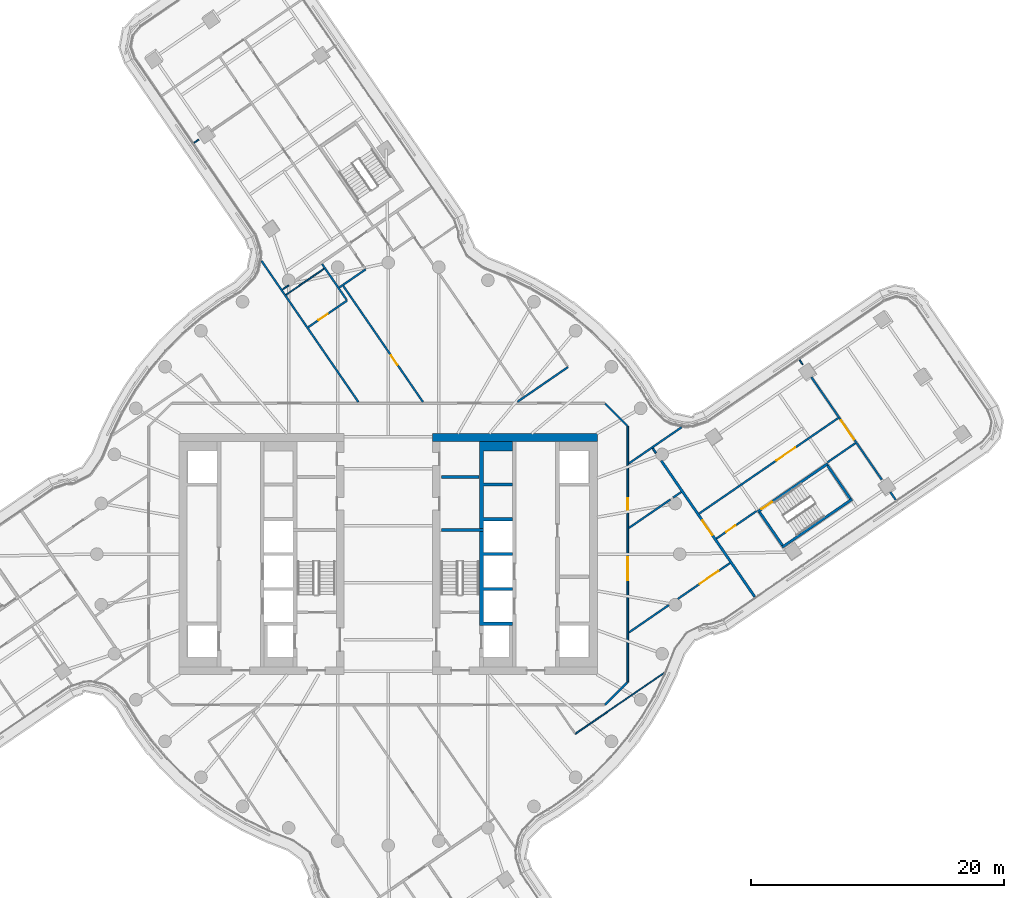
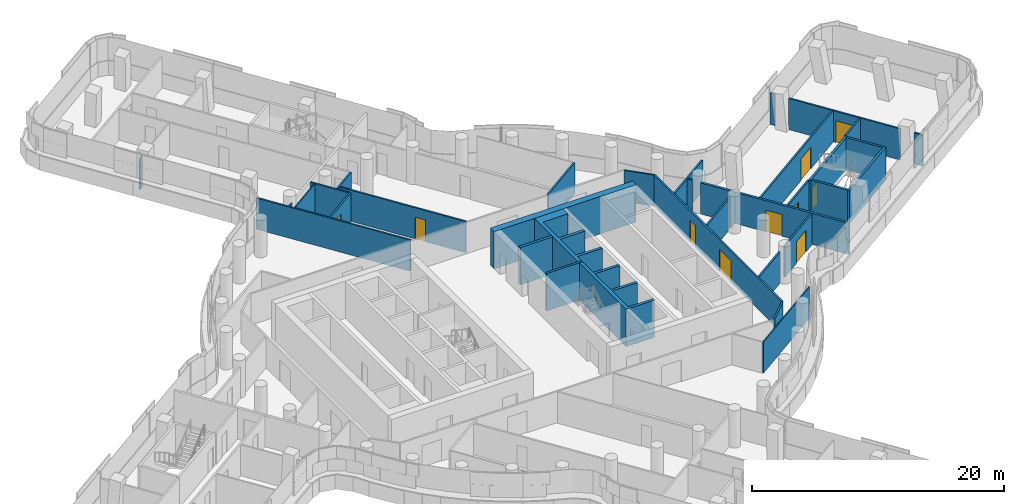
# One storey, part 24 of 33: 34 walls, 10 doors, 10 openings.
"""IFC4 building model written with IfcOpenShell, lengths in metres."""

from ifc_helpers import new_model, si_unit, direction, frame, frame_2d, origin, place, context, subcontext, project, spatial, polyline, rectangle, outline, extrude, material, layer, layer_set, type_object, element, fill, save


model = new_model("IFC4")

# Units and contexts
model_context = context("Model", 3, precision=1e-05, world=origin(), true_north=direction((0.0, 1.0)))
body_context = subcontext(model_context, "Body", "Model", "MODEL_VIEW")
ifc_project = project(units=[si_unit("LENGTHUNIT", "METRE"), si_unit("AREAUNIT", "SQUARE_METRE"), si_unit("VOLUMEUNIT", "CUBIC_METRE"), si_unit("PLANEANGLEUNIT", "RADIAN"), si_unit("MASSUNIT", "GRAM", prefix="KILO")], contexts=[model_context])

# Site, building, storey
site_placement = place(None, origin())
site = spatial("IfcSite", under=ifc_project, at=site_placement, CompositionType="ELEMENT")
building_placement = place(site_placement, origin())
building = spatial("IfcBuilding", under=site, at=building_placement, Name="Tamarind Cross Interchange Tower", CompositionType="ELEMENT")
storey_placement = place(building_placement, frame((0.0, 0.0, 159.25)))
storey = spatial("IfcBuildingStorey", under=building, at=storey_placement, Name="L39", CompositionType="ELEMENT", Elevation=159.25)

# Walls
ifc_material_1 = material(Name="Concrete C60", Category="concrete")
ifc_layer_1 = layer(ifc_material_1, 0.60009765625)
ifc_layer_set_1 = layer_set([ifc_layer_1], Name="Concrete C60")
wall_type_1 = type_object("IfcWallType", Name="Core wall 600 mm Concrete C60", PredefinedType="SHEAR", material=ifc_layer_set_1)
wall_1_placement = place(storey_placement, frame((16.5, 9.199951171875, 0.0), z_axis=(0.0, 0.0, 1.0), x_axis=(-1.0, 0.0, 0.0)))
element("IfcWall", 1, at=wall_1_placement, inside=storey, type_object=wall_type_1, Name="Core wall CWL-L39-E-NE", PredefinedType="SHEAR", context=body_context, shape_type="SweptSolid", body=[
    extrude(rectangle(XDim=13.0, YDim=0.60009765625, at=frame_2d((6.5, 0.0))), origin(), (0.0, 0.0, 1.0), 3.610107421875),
])
ifc_layer_2 = layer(ifc_material_1, 0.199951171875)
ifc_layer_set_2 = layer_set([ifc_layer_2], Name="Concrete C60")
wall_type_2 = type_object("IfcWallType", Name="Core web wall 200 mm Concrete C60", PredefinedType="SHEAR", material=ifc_layer_set_2)
wall_2_placement = place(storey_placement, frame((7.5, 1.89990234375, 0.0), z_axis=(0.0, 0.0, 1.0), x_axis=(-1.0, 0.0, 0.0)))
element("IfcWall", 2, at=wall_2_placement, inside=storey, type_object=wall_type_2, Name="Core wall CWL-L39-E-BD", PredefinedType="SHEAR", context=body_context, shape_type="SweptSolid", body=[
    extrude(rectangle(XDim=3.300048828125, YDim=0.199951171875, at=frame_2d((1.64990234375, 0.0))), origin(), (0.0, 0.0, 1.0), 3.610107421875),
])
ifc_layer_3 = layer(ifc_material_1, 0.300048828125)
ifc_layer_set_3 = layer_set([ifc_layer_3], Name="Concrete C60")
wall_type_3 = type_object("IfcWallType", Name="Core web wall 300 mm Concrete C60", PredefinedType="SHEAR", material=ifc_layer_set_3)
wall_3_placement = place(storey_placement, origin())
element("IfcWall", 3, at=wall_3_placement, inside=storey, type_object=wall_type_3, Name="Core wall CWL-L39-E-BN", PredefinedType="SHEAR", context=body_context, shape_type="SweptSolid", body=[
    extrude(outline(polyline([(9.800048828125, -5.375), (7.5, -5.375), (7.5, -2.875), (9.800048828125, -2.875), (9.800048828125, -2.625), (7.5, -2.625), (7.5, -0.125), (9.800048828125, -0.125), (9.800048828125, 0.125), (7.5, 0.125), (7.5, 2.625), (9.800048828125, 2.625), (9.800048828125, 2.875), (7.5, 2.875), (7.5, 5.375), (9.800048828125, 5.375), (9.800048828125, 5.625), (7.5, 5.625), (7.5, 8.125), (9.800048828125, 8.125), (9.800048828125, 8.89990234375), (7.5, 8.89990234375), (7.199951171875, 8.89990234375), (7.199951171875, -5.625), (7.5, -5.625), (9.800048828125, -5.625), (9.800048828125, -5.375)])), origin(), (0.0, 0.0, 1.0), 3.610107421875),
])
ifc_material_2 = material(Name="Gypsum board partition on steel studs", Category="steel")
ifc_layer_4 = layer(ifc_material_2, 0.10009765625)
ifc_layer_set_4 = layer_set([ifc_layer_4], Name="Gypsum board partition on steel studs")
wall_type_4 = type_object("IfcWallType", Name="Partition 100 mm EI 90", PredefinedType="PARTITIONING", material=ifc_layer_set_4)
for number, where, z_axis, x_axis, name in (
    (4, (32.45849609375, 15.330322265625, 0.0), (0.0, 0.0, 1.0), (0.566094002157, -0.824340694569, 0.0), "Partition L39-034"),
    (5, (-15.330322265625, 32.45849609375, 0.0), (0.0, 0.0, 1.0), (0.824340694569, 0.566094002157, 0.0), "Partition L39-051"),
):
    element("IfcWall", number, at=place(storey_placement, frame(where, z_axis=z_axis, x_axis=x_axis)), inside=storey, type_object=wall_type_4, Name=name, PredefinedType="PARTITIONING", context=body_context, shape_type="SweptSolid", body=[
        extrude(rectangle(XDim=0.452880859375, YDim=0.10009765625, at=frame_2d((0.2265625, 0.0))), origin(), (0.0, 0.0, 1.0), 3.010009765625),
    ])
wall_4_placement = place(storey_placement, frame((-8.0712890625, 20.46044921875, 0.0), z_axis=(0.0, 0.0, 1.0), x_axis=(0.824324831047, 0.566117101773, 0.0)))
element("IfcWall", 6, at=wall_4_placement, inside=storey, type_object=wall_type_4, Name="Partition L39-056", PredefinedType="PARTITIONING", context=body_context, shape_type="SweptSolid", body=[
    extrude(rectangle(XDim=3.649658203125, YDim=0.10009765625, at=frame_2d((1.82470703125, 0.0))), origin(), (0.0, 0.0, 1.0), 3.010009765625),
])
wall_5_placement = place(storey_placement, frame((-8.3544921875, 20.872802734375, 0.0), z_axis=(0.0, 0.0, 1.0), x_axis=(0.824315547904, 0.566130618748, 0.0)))
element("IfcWall", 7, at=wall_5_placement, inside=storey, type_object=wall_type_4, Name="Partition L39-059", PredefinedType="PARTITIONING", context=body_context, shape_type="SweptSolid", body=[
    extrude(rectangle(XDim=0.5986328125, YDim=0.10009765625, at=frame_2d((0.29931640625, 0.0))), origin(), (0.0, 0.0, 1.0), 3.010009765625),
])
wall_6_placement = place(storey_placement, frame((14.761962890625, -14.18994140625, 0.0), z_axis=(0.0, 0.0, 1.0), x_axis=(0.824347457756, 0.566084153542, 0.0)))
element("IfcWall", 8, at=wall_6_placement, inside=storey, type_object=wall_type_4, Name="Partition L39-068", PredefinedType="PARTITIONING", context=body_context, shape_type="SweptSolid", body=[
    extrude(rectangle(XDim=8.483154296875, YDim=0.10009765625, at=frame_2d((4.24169921875, 0.0))), origin(), (0.0, 0.0, 1.0), 3.010009765625),
])
ifc_layer_5 = layer(ifc_material_2, 0.14990234375)
ifc_layer_set_5 = layer_set([ifc_layer_5], Name="Gypsum board partition on steel studs")
wall_type_5 = type_object("IfcWallType", Name="Partition 150 mm EI 120", PredefinedType="PARTITIONING", material=ifc_layer_set_5)
wall_7_placement = place(storey_placement, frame((-10.01220703125, 23.15380859375, 0.0), z_axis=(0.0, 0.0, 1.0), x_axis=(0.566093064015, -0.824341338812, 0.0)))
element("IfcWall", 9, at=wall_7_placement, inside=storey, type_object=wall_type_5, Name="Partition L39-018", PredefinedType="PARTITIONING", context=body_context, shape_type="SweptSolid", body=[
    extrude(rectangle(XDim=13.531982421875, YDim=0.14990234375, at=frame_2d((6.76611328125, 0.0))), origin(), (0.0, 0.0, 1.0), 3.010009765625),
])
wall_8_placement = place(storey_placement, frame((-5.227294921875, 22.898681640625, 0.0), z_axis=(0.0, 0.0, 1.0), x_axis=(0.566114247823, -0.824326791031, 0.0)))
element("IfcWall", 10, at=wall_8_placement, inside=storey, type_object=wall_type_5, Name="Partition L39-019", PredefinedType="PARTITIONING", context=body_context, shape_type="SweptSolid", body=[
    extrude(rectangle(XDim=3.424560546875, YDim=0.14990234375, at=frame_2d((1.71240234375, 0.0))), origin(), (0.0, 0.0, 1.0), 3.010009765625),
])

# Wall, opening, door
wall_9_placement = place(storey_placement, frame((-3.5498046875, 21.1630859375, 0.0), z_axis=(0.0, 0.0, 1.0), x_axis=(0.566071104364, -0.824356418549, 0.0)))
wall_9 = element("IfcWall", 11, at=wall_9_placement, inside=storey, type_object=wall_type_5, Name="Partition L39-020", PredefinedType="PARTITIONING", context=body_context, shape_type="SweptSolid", body=[
    extrude(rectangle(XDim=11.116943359375, YDim=0.14990234375, at=frame_2d((5.55859375, 0.0))), origin(), (0.0, 0.0, 1.0), 3.010009765625),
])
opening_1_placement = place(wall_9_placement, frame((6.669921875, 0.0, 0.0)))
opening_1 = element("IfcOpeningElement", 12, at=opening_1_placement, cuts=wall_9, Name="Opening D09", PredefinedType="OPENING", context=body_context, shape_type="SweptSolid", body=[
    extrude(rectangle(XDim=0.89990234375, YDim=2.10009765625, at=frame_2d((0.449951171875, 1.050048828125))), frame((0.0, 0.0849609375, 0.0), z_axis=(0.0, -1.0, 0.0), x_axis=(1.0, 0.0, 0.0)), (0.0, 0.0, 1.0), 0.169921875),
])
ifc_material_3 = material(Name="Fire-resisting door set")
door_type_1 = type_object("IfcDoorType", Name="Interior door 900 x 2100 FD60S", OperationType="SINGLE_SWING_LEFT", PredefinedType="DOOR", material=ifc_material_3)
door_1_placement = place(opening_1_placement, frame((0.89990234375, 0.0, 0.0), z_axis=(0.0, 0.0, 1.0), x_axis=(-1.0, 0.0, 0.0)))
door_1 = element("IfcDoor", 13, at=door_1_placement, inside=storey, type_object=door_type_1, Name="Door D09", OperationType="SINGLE_SWING_RIGHT", OverallHeight=2.10009765625, OverallWidth=0.89990234375, PredefinedType="DOOR", context=body_context, shape_type="SweptSolid", body=[
    extrude(rectangle(XDim=0.89990234375, YDim=2.10009765625, at=frame_2d((0.449951171875, 1.050048828125))), frame((0.0, 0.02490234375, 0.0), z_axis=(0.0, -1.0, 0.0), x_axis=(1.0, 0.0, 0.0)), (0.0, 0.0, 1.0), 0.050048828125),
])
fill(opening_1, door_1)

# Wall
wall_10_placement = place(storey_placement, frame((20.875244140625, 8.35009765625, 0.0), z_axis=(0.0, 0.0, 1.0), x_axis=(0.56618647865, -0.824277181168, 0.0)))
element("IfcWall", 14, at=wall_10_placement, inside=storey, type_object=wall_type_5, Name="Partition L39-032", PredefinedType="PARTITIONING", context=body_context, shape_type="SweptSolid", body=[
    extrude(rectangle(XDim=0.4541015625, YDim=0.14990234375, at=frame_2d((0.22705078125, 0.0))), origin(), (0.0, 0.0, 1.0), 3.010009765625),
])

# Wall, opening, door
wall_11_placement = place(storey_placement, frame((33.392333984375, 13.970703125, 0.0), z_axis=(0.0, 0.0, 1.0), x_axis=(0.56618581745, -0.824277635338, 0.0)))
wall_11 = element("IfcWall", 15, at=wall_11_placement, inside=storey, type_object=wall_type_5, Name="Partition L39-035", PredefinedType="PARTITIONING", context=body_context, shape_type="SweptSolid", body=[
    extrude(rectangle(XDim=9.81884765625, YDim=0.14990234375, at=frame_2d((4.909423828125, 0.0))), origin(), (0.0, 0.0, 1.0), 3.010009765625),
])
opening_2_placement = place(wall_11_placement, frame((4.16748046875, 0.0, 0.0)))
opening_2 = element("IfcOpeningElement", 16, at=opening_2_placement, cuts=wall_11, Name="Opening D18", PredefinedType="OPENING", context=body_context, shape_type="SweptSolid", body=[
    extrude(rectangle(XDim=1.800048828125, YDim=2.10009765625, at=frame_2d((0.89990234375, 1.050048828125))), frame((0.0, 0.0849609375, 0.0), z_axis=(0.0, -1.0, 0.0), x_axis=(1.0, 0.0, 0.0)), (0.0, 0.0, 1.0), 0.169921875),
])
door_type_2 = type_object("IfcDoorType", Name="Interior door 1800 x 2100 FD60S", OperationType="DOUBLE_DOOR_SINGLE_SWING", PredefinedType="DOOR", material=ifc_material_3)
door_2_placement = place(opening_2_placement, frame((1.800048828125, 0.0, 0.0), z_axis=(0.0, 0.0, 1.0), x_axis=(-1.0, 0.0, 0.0)))
door_2 = element("IfcDoor", 17, at=door_2_placement, inside=storey, type_object=door_type_2, Name="Door D18", OperationType="DOUBLE_DOOR_SINGLE_SWING", OverallHeight=2.10009765625, OverallWidth=1.800048828125, PredefinedType="DOOR", context=body_context, shape_type="SweptSolid", body=[
    extrude(rectangle(XDim=1.800048828125, YDim=2.10009765625, at=frame_2d((0.89990234375, 1.050048828125))), frame((0.0, 0.02490234375, 0.0), z_axis=(0.0, -1.0, 0.0), x_axis=(1.0, 0.0, 0.0)), (0.0, 0.0, 1.0), 0.050048828125),
])
fill(opening_2, door_2)

# Walls
wall_12_placement = place(storey_placement, frame((39.63037109375, 4.889404296875, 0.0), z_axis=(0.0, 0.0, 1.0), x_axis=(0.566155275421, -0.824298613436, 0.0)))
element("IfcWall", 18, at=wall_12_placement, inside=storey, type_object=wall_type_5, Name="Partition L39-036", PredefinedType="PARTITIONING", context=body_context, shape_type="SweptSolid", body=[
    extrude(rectangle(XDim=0.7490234375, YDim=0.14990234375, at=frame_2d((0.37451171875, 0.0))), origin(), (0.0, 0.0, 1.0), 3.010009765625),
])
wall_13_placement = place(storey_placement, frame((17.12841796875, 11.87158203125, 0.0), z_axis=(0.0, 0.0, 1.0), x_axis=(0.707106781187, -0.707106781187, 0.0)))
element("IfcWall", 19, at=wall_13_placement, inside=storey, type_object=wall_type_5, Name="Partition L39-038", PredefinedType="PARTITIONING", context=body_context, shape_type="SweptSolid", body=[
    extrude(rectangle(XDim=2.465087890625, YDim=0.14990234375, at=frame_2d((1.232421875, 0.0))), origin(), (0.0, 0.0, 1.0), 3.010009765625),
])

# Wall, opening, door
wall_14_placement = place(storey_placement, frame((-6.31201171875, 17.908203125, 0.0), z_axis=(0.0, 0.0, 1.0), x_axis=(0.824306135323, 0.566144323711, 0.0)))
wall_14 = element("IfcWall", 20, at=wall_14_placement, inside=storey, type_object=wall_type_5, Name="Partition L39-057", PredefinedType="PARTITIONING", context=body_context, shape_type="SweptSolid", body=[
    extrude(rectangle(XDim=3.719482421875, YDim=0.14990234375, at=frame_2d((1.85986328125, 0.0))), origin(), (0.0, 0.0, 1.0), 3.010009765625),
])
opening_3_placement = place(wall_14_placement, frame((0.969970703125, 0.0, 0.0)))
opening_3 = element("IfcOpeningElement", 21, at=opening_3_placement, cuts=wall_14, Name="Opening D33", PredefinedType="OPENING", context=body_context, shape_type="SweptSolid", body=[
    extrude(rectangle(XDim=0.89990234375, YDim=2.10009765625, at=frame_2d((0.449951171875, 1.050048828125))), frame((0.0, 0.0849609375, 0.0), z_axis=(0.0, -1.0, 0.0), x_axis=(1.0, 0.0, 0.0)), (0.0, 0.0, 1.0), 0.169921875),
])
door_3_placement = place(opening_3_placement, origin())
door_3 = element("IfcDoor", 22, at=door_3_placement, inside=storey, type_object=door_type_1, Name="Door D33", OperationType="SINGLE_SWING_RIGHT", OverallHeight=2.10009765625, OverallWidth=0.89990234375, PredefinedType="DOOR", context=body_context, shape_type="SweptSolid", body=[
    extrude(rectangle(XDim=0.89990234375, YDim=2.10009765625, at=frame_2d((0.449951171875, 1.050048828125))), frame((0.0, 0.02490234375, 0.0), z_axis=(0.0, -1.0, 0.0), x_axis=(1.0, 0.0, 0.0)), (0.0, 0.0, 1.0), 0.050048828125),
])
fill(opening_3, door_3)

# Walls
wall_15_placement = place(storey_placement, frame((-3.85888671875, 21.048095703125, 0.0), z_axis=(0.0, 0.0, 1.0), x_axis=(0.825038611489, 0.565076357276, 0.0)))
element("IfcWall", 23, at=wall_15_placement, inside=storey, type_object=wall_type_5, Name="Partition L39-061", PredefinedType="PARTITIONING", context=body_context, shape_type="SweptSolid", body=[
    extrude(rectangle(XDim=2.519775390625, YDim=0.14990234375, at=frame_2d((1.259765625, 0.0))), origin(), (0.0, 0.0, 1.0), 3.010009765625),
])
wall_16_placement = place(storey_placement, frame((10.196044921875, 12.018798828125, 0.0), z_axis=(0.0, 0.0, 1.0), x_axis=(0.824296186605, 0.566158808771, 0.0)))
element("IfcWall", 24, at=wall_16_placement, inside=storey, type_object=wall_type_5, Name="Partition L39-067", PredefinedType="PARTITIONING", context=body_context, shape_type="SweptSolid", body=[
    extrude(rectangle(XDim=4.84521484375, YDim=0.14990234375, at=frame_2d((2.422607421875, 0.0))), origin(), (0.0, 0.0, 1.0), 3.010009765625),
])
wall_17_placement = place(storey_placement, frame((18.998779296875, -6.18505859375, 0.0), z_axis=(0.0, 0.0, 1.0), x_axis=(0.824392319221, 0.566018819484, 0.0)))
element("IfcWall", 25, at=wall_17_placement, inside=storey, type_object=wall_type_5, Name="Partition L39-069", PredefinedType="PARTITIONING", context=body_context, shape_type="SweptSolid", body=[
    extrude(rectangle(XDim=3.8203125, YDim=0.14990234375, at=frame_2d((1.91015625, 0.0))), origin(), (0.0, 0.0, 1.0), 3.010009765625),
])

# Wall, opening, door
wall_18_placement = place(storey_placement, frame((22.853515625, -3.538330078125, 0.0), z_axis=(0.0, 0.0, 1.0), x_axis=(0.824360979783, 0.566064461887, 0.0)))
wall_18 = element("IfcWall", 26, at=wall_18_placement, inside=storey, type_object=wall_type_5, Name="Partition L39-070", PredefinedType="PARTITIONING", context=body_context, shape_type="SweptSolid", body=[
    extrude(rectangle(XDim=4.9990234375, YDim=0.14990234375, at=frame_2d((2.49951171875, 0.0))), origin(), (0.0, 0.0, 1.0), 3.010009765625),
])
opening_4_placement = place(wall_18_placement, frame((2.10009765625, 0.0, 0.0)))
opening_4 = element("IfcOpeningElement", 27, at=opening_4_placement, cuts=wall_18, Name="Opening D37", PredefinedType="OPENING", context=body_context, shape_type="SweptSolid", body=[
    extrude(rectangle(XDim=1.800048828125, YDim=2.10009765625, at=frame_2d((0.89990234375, 1.050048828125))), frame((0.0, 0.0849609375, 0.0), z_axis=(0.0, -1.0, 0.0), x_axis=(1.0, 0.0, 0.0)), (0.0, 0.0, 1.0), 0.169921875),
])
door_4_placement = place(opening_4_placement, frame((1.800048828125, 0.0, 0.0), z_axis=(0.0, 0.0, 1.0), x_axis=(-1.0, 0.0, 0.0)))
door_4 = element("IfcDoor", 28, at=door_4_placement, inside=storey, type_object=door_type_2, Name="Door D37", OperationType="DOUBLE_DOOR_SINGLE_SWING", OverallHeight=2.10009765625, OverallWidth=1.800048828125, PredefinedType="DOOR", context=body_context, shape_type="SweptSolid", body=[
    extrude(rectangle(XDim=1.800048828125, YDim=2.10009765625, at=frame_2d((0.89990234375, 1.050048828125))), frame((0.0, 0.02490234375, 0.0), z_axis=(0.0, -1.0, 0.0), x_axis=(1.0, 0.0, 0.0)), (0.0, 0.0, 1.0), 0.050048828125),
])
fill(opening_4, door_4)

# Walls
wall_19_placement = place(storey_placement, frame((18.998779296875, 2.06396484375, 0.0), z_axis=(0.0, 0.0, 1.0), x_axis=(0.824390062348, 0.566022106549, 0.0)))
element("IfcWall", 29, at=wall_19_placement, inside=storey, type_object=wall_type_5, Name="Partition L39-071", PredefinedType="PARTITIONING", context=body_context, shape_type="SweptSolid", body=[
    extrude(rectangle(XDim=3.9677734375, YDim=0.14990234375, at=frame_2d((1.98388671875, 0.0))), origin(), (0.0, 0.0, 1.0), 3.010009765625),
])
wall_20_placement = place(storey_placement, frame((22.48974609375, 4.460693359375, 0.0), z_axis=(0.0, 0.0, 1.0), x_axis=(0.82422658894, 0.566260125812, 0.0)))
element("IfcWall", 30, at=wall_20_placement, inside=storey, type_object=wall_type_5, Name="Partition L39-072", PredefinedType="PARTITIONING", context=body_context, shape_type="SweptSolid", body=[
    extrude(rectangle(XDim=0.771240234375, YDim=0.14990234375, at=frame_2d((0.3857421875, 0.0))), origin(), (0.0, 0.0, 1.0), 3.010009765625),
])
wall_21_placement = place(storey_placement, frame((18.998779296875, 7.158935546875, 0.0), z_axis=(0.0, 0.0, 1.0), x_axis=(0.824433154218, 0.565959339728, 0.0)))
element("IfcWall", 31, at=wall_21_placement, inside=storey, type_object=wall_type_5, Name="Partition L39-073", PredefinedType="PARTITIONING", context=body_context, shape_type="SweptSolid", body=[
    extrude(rectangle(XDim=5.041015625, YDim=0.14990234375, at=frame_2d((2.5205078125, 0.0))), origin(), (0.0, 0.0, 1.0), 3.010009765625),
])

# Wall, opening, door
wall_22_placement = place(storey_placement, frame((24.53955078125, 3.199462890625, 0.0), z_axis=(0.0, 0.0, 1.0), x_axis=(0.824324281839, 0.566117901475, 0.0)))
wall_22 = element("IfcWall", 32, at=wall_22_placement, inside=storey, type_object=wall_type_5, Name="Partition L39-074", PredefinedType="PARTITIONING", context=body_context, shape_type="SweptSolid", body=[
    extrude(rectangle(XDim=13.31591796875, YDim=0.14990234375, at=frame_2d((6.657958984375, 0.0))), origin(), (0.0, 0.0, 1.0), 3.010009765625),
])
opening_5_placement = place(wall_22_placement, frame((7.39501953125, 0.0, 0.0)))
opening_5 = element("IfcOpeningElement", 33, at=opening_5_placement, cuts=wall_22, Name="Opening D38", PredefinedType="OPENING", context=body_context, shape_type="SweptSolid", body=[
    extrude(rectangle(XDim=1.800048828125, YDim=2.10009765625, at=frame_2d((0.89990234375, 1.050048828125))), frame((0.0, 0.0849609375, 0.0), z_axis=(0.0, -1.0, 0.0), x_axis=(1.0, 0.0, 0.0)), (0.0, 0.0, 1.0), 0.169921875),
])
door_5_placement = place(opening_5_placement, frame((1.800048828125, 0.0, 0.0), z_axis=(0.0, 0.0, 1.0), x_axis=(-1.0, 0.0, 0.0)))
door_5 = element("IfcDoor", 34, at=door_5_placement, inside=storey, type_object=door_type_2, Name="Door D38", OperationType="DOUBLE_DOOR_SINGLE_SWING", OverallHeight=2.10009765625, OverallWidth=1.800048828125, PredefinedType="DOOR", context=body_context, shape_type="SweptSolid", body=[
    extrude(rectangle(XDim=1.800048828125, YDim=2.10009765625, at=frame_2d((0.89990234375, 1.050048828125))), frame((0.0, 0.02490234375, 0.0), z_axis=(0.0, -1.0, 0.0), x_axis=(1.0, 0.0, 0.0)), (0.0, 0.0, 1.0), 0.050048828125),
])
fill(opening_5, door_5)

wall_23_placement = place(storey_placement, frame((25.894287109375, 1.218505859375, 0.0), z_axis=(0.0, 0.0, 1.0), x_axis=(0.82439240616, 0.566018692859, 0.0)))
wall_23 = element("IfcWall", 35, at=wall_23_placement, inside=storey, type_object=wall_type_5, Name="Partition L39-075", PredefinedType="PARTITIONING", context=body_context, shape_type="SweptSolid", body=[
    extrude(rectangle(XDim=3.85986328125, YDim=0.14990234375, at=frame_2d((1.929931640625, 0.0))), origin(), (0.0, 0.0, 1.0), 3.010009765625),
])
opening_6_placement = place(wall_23_placement, frame((0.949951171875, 0.0, 0.0)))
opening_6 = element("IfcOpeningElement", 36, at=opening_6_placement, cuts=wall_23, Name="Opening D39", PredefinedType="OPENING", context=body_context, shape_type="SweptSolid", body=[
    extrude(rectangle(XDim=0.89990234375, YDim=2.10009765625, at=frame_2d((0.449951171875, 1.050048828125))), frame((0.0, 0.0849609375, 0.0), z_axis=(0.0, -1.0, 0.0), x_axis=(1.0, 0.0, 0.0)), (0.0, 0.0, 1.0), 0.169921875),
])
door_6_placement = place(opening_6_placement, frame((0.89990234375, 0.0, 0.0), z_axis=(0.0, 0.0, 1.0), x_axis=(-1.0, 0.0, 0.0)))
door_6 = element("IfcDoor", 37, at=door_6_placement, inside=storey, type_object=door_type_1, Name="Door D39", OperationType="SINGLE_SWING_LEFT", OverallHeight=2.10009765625, OverallWidth=0.89990234375, PredefinedType="DOOR", context=body_context, shape_type="SweptSolid", body=[
    extrude(rectangle(XDim=0.89990234375, YDim=2.10009765625, at=frame_2d((0.449951171875, 1.050048828125))), frame((0.0, 0.02490234375, 0.0), z_axis=(0.0, -1.0, 0.0), x_axis=(1.0, 0.0, 0.0)), (0.0, 0.0, 1.0), 0.050048828125),
])
fill(opening_6, door_6)

# Walls
wall_24_placement = place(storey_placement, frame((34.666015625, 7.240966796875, 0.0), z_axis=(0.0, 0.0, 1.0), x_axis=(0.824374121258, 0.56604532345, 0.0)))
element("IfcWall", 38, at=wall_24_placement, inside=storey, type_object=wall_type_5, Name="Partition L39-076", PredefinedType="PARTITIONING", context=body_context, shape_type="SweptSolid", body=[
    extrude(rectangle(XDim=2.67919921875, YDim=0.14990234375, at=frame_2d((1.339599609375, 0.0))), origin(), (0.0, 0.0, 1.0), 3.010009765625),
])
wall_25_placement = place(storey_placement, frame((17.10009765625, -11.89990234375, 0.0), z_axis=(0.0, 0.0, 1.0), x_axis=(0.707106781187, 0.707106781187, 0.0)))
element("IfcWall", 39, at=wall_25_placement, inside=storey, type_object=wall_type_5, Name="Partition L39-078", PredefinedType="PARTITIONING", context=body_context, shape_type="SweptSolid", body=[
    extrude(rectangle(XDim=2.50537109375, YDim=0.14990234375, at=frame_2d((1.252685546875, 0.0))), origin(), (0.0, 0.0, 1.0), 3.010009765625),
])

# Wall, openings, doors
wall_26_placement = place(storey_placement, frame((18.89990234375, -10.10009765625, 0.0), z_axis=(0.0, 0.0, 1.0), x_axis=(0.0, 1.0, 0.0)))
wall_26 = element("IfcWall", 40, at=wall_26_placement, inside=storey, type_object=wall_type_5, Name="Partition L39-080", PredefinedType="PARTITIONING", context=body_context, shape_type="SweptSolid", body=[
    extrude(rectangle(XDim=20.2001953125, YDim=0.14990234375, at=frame_2d((10.10009765625, 0.0))), origin(), (0.0, 0.0, 1.0), 3.010009765625),
])
opening_7_placement = place(wall_26_placement, frame((8.047119140625, 0.0, 0.0)))
opening_7 = element("IfcOpeningElement", 41, at=opening_7_placement, cuts=wall_26, Name="Opening D42", PredefinedType="OPENING", context=body_context, shape_type="SweptSolid", body=[
    extrude(rectangle(XDim=1.800048828125, YDim=2.10009765625, at=frame_2d((0.89990234375, 1.050048828125))), frame((0.0, 0.0849609375, 0.0), z_axis=(0.0, -1.0, 0.0), x_axis=(1.0, 0.0, 0.0)), (0.0, 0.0, 1.0), 0.169921875),
])
opening_8_placement = place(wall_26_placement, frame((13.595947265625, 0.0, 0.0)))
opening_8 = element("IfcOpeningElement", 42, at=opening_8_placement, cuts=wall_26, Name="Opening D43", PredefinedType="OPENING", context=body_context, shape_type="SweptSolid", body=[
    extrude(rectangle(XDim=0.89990234375, YDim=2.10009765625, at=frame_2d((0.449951171875, 1.050048828125))), frame((0.0, 0.0849609375, 0.0), z_axis=(0.0, -1.0, 0.0), x_axis=(1.0, 0.0, 0.0)), (0.0, 0.0, 1.0), 0.169921875),
])
door_7_placement = place(opening_7_placement, origin())
door_7 = element("IfcDoor", 43, at=door_7_placement, inside=storey, type_object=door_type_2, Name="Door D42", OperationType="DOUBLE_DOOR_SINGLE_SWING", OverallHeight=2.10009765625, OverallWidth=1.800048828125, PredefinedType="DOOR", context=body_context, shape_type="SweptSolid", body=[
    extrude(rectangle(XDim=1.800048828125, YDim=2.10009765625, at=frame_2d((0.89990234375, 1.050048828125))), frame((0.0, 0.02490234375, 0.0), z_axis=(0.0, -1.0, 0.0), x_axis=(1.0, 0.0, 0.0)), (0.0, 0.0, 1.0), 0.050048828125),
])
fill(opening_7, door_7)
door_8_placement = place(opening_8_placement, frame((0.89990234375, 0.0, 0.0), z_axis=(0.0, 0.0, 1.0), x_axis=(-1.0, 0.0, 0.0)))
door_8 = element("IfcDoor", 44, at=door_8_placement, inside=storey, type_object=door_type_1, Name="Door D43", OperationType="SINGLE_SWING_RIGHT", OverallHeight=2.10009765625, OverallWidth=0.89990234375, PredefinedType="DOOR", context=body_context, shape_type="SweptSolid", body=[
    extrude(rectangle(XDim=0.89990234375, YDim=2.10009765625, at=frame_2d((0.449951171875, 1.050048828125))), frame((0.0, 0.02490234375, 0.0), z_axis=(0.0, -1.0, 0.0), x_axis=(1.0, 0.0, 0.0)), (0.0, 0.0, 1.0), 0.050048828125),
])
fill(opening_8, door_8)

# Wall, opening, door
ifc_layer_6 = layer(ifc_material_2, 0.199951171875)
ifc_layer_set_6 = layer_set([ifc_layer_6], Name="Gypsum board partition on steel studs")
wall_type_6 = type_object("IfcWallType", Name="Partition 200 mm EI 180", PredefinedType="PARTITIONING", material=ifc_layer_set_6)
wall_27_placement = place(storey_placement, frame((21.54541015625, 7.37451171875, 0.0), z_axis=(0.0, 0.0, 1.0), x_axis=(0.566178235937, -0.824282842932, 0.0)))
wall_27 = element("IfcWall", 45, at=wall_27_placement, inside=storey, type_object=wall_type_6, Name="Partition L39-033", PredefinedType="PARTITIONING", context=body_context, shape_type="SweptSolid", body=[
    extrude(rectangle(XDim=13.035400390625, YDim=0.199951171875, at=frame_2d((6.517578125, 0.0))), origin(), (0.0, 0.0, 1.0), 3.010009765625),
])
opening_9_placement = place(wall_27_placement, frame((5.73681640625, 0.0, 0.0)))
opening_9 = element("IfcOpeningElement", 46, at=opening_9_placement, cuts=wall_27, Name="Opening D17", PredefinedType="OPENING", context=body_context, shape_type="SweptSolid", body=[
    extrude(rectangle(XDim=1.39990234375, YDim=2.10009765625, at=frame_2d((0.699951171875, 1.050048828125))), frame((0.0, 0.10986328125, 0.0), z_axis=(0.0, -1.0, 0.0), x_axis=(1.0, 0.0, 0.0)), (0.0, 0.0, 1.0), 0.219970703125),
])
door_type_3 = type_object("IfcDoorType", Name="Interior door 1400 x 2100 FD120S", OperationType="DOUBLE_DOOR_SINGLE_SWING", PredefinedType="DOOR", material=ifc_material_3)
door_9_placement = place(opening_9_placement, frame((1.39990234375, 0.0, 0.0), z_axis=(0.0, 0.0, 1.0), x_axis=(-1.0, 0.0, 0.0)))
door_9 = element("IfcDoor", 47, at=door_9_placement, inside=storey, type_object=door_type_3, Name="Door D17", OperationType="DOUBLE_DOOR_SINGLE_SWING", OverallHeight=2.10009765625, OverallWidth=1.39990234375, PredefinedType="DOOR", context=body_context, shape_type="SweptSolid", body=[
    extrude(rectangle(XDim=1.39990234375, YDim=2.10009765625, at=frame_2d((0.699951171875, 1.050048828125))), frame((0.0, 0.02490234375, 0.0), z_axis=(0.0, -1.0, 0.0), x_axis=(1.0, 0.0, 0.0)), (0.0, 0.0, 1.0), 0.050048828125),
])
fill(opening_9, door_9)

# Wall
ifc_material_4 = material(Name="Concrete C40", Category="concrete")
ifc_layer_7 = layer(ifc_material_4, 0.25)
ifc_layer_set_7 = layer_set([ifc_layer_7], Name="Concrete C40")
wall_type_7 = type_object("IfcWallType", Name="Shaft and lobby wall 250 mm Concrete C40", PredefinedType="PARTITIONING", material=ifc_layer_set_7)
wall_28_placement = place(storey_placement, frame((7.14990234375, 6.080078125, 0.0), z_axis=(0.0, 0.0, 1.0), x_axis=(-1.0, 0.0, 0.0)))
element("IfcWall", 48, at=wall_28_placement, inside=storey, type_object=wall_type_7, Name="Shaft wall CWL-L39-E-SVP", PredefinedType="PARTITIONING", context=body_context, shape_type="SweptSolid", body=[
    extrude(rectangle(XDim=2.949951171875, YDim=0.25, at=frame_2d((1.47509765625, 0.0))), origin(), (0.0, 0.0, 1.0), 3.610107421875),
])

# Wall, opening, door
ifc_layer_8 = layer(ifc_material_4, 0.199951171875)
ifc_layer_set_8 = layer_set([ifc_layer_8], Name="Concrete C40")
wall_type_8 = type_object("IfcWallType", Name="Stair shaft wall 200 mm Concrete C40", PredefinedType="SHEAR", material=ifc_layer_set_8)
wall_29_placement = place(storey_placement, frame((29.165771484375, 3.343994140625, -0.139892578125), z_axis=(0.0, 0.0, 1.0), x_axis=(0.824341639897, 0.566092625577, 0.0)))
wall_29 = element("IfcWall", 49, at=wall_29_placement, inside=storey, type_object=wall_type_8, Name="Core wall CWL-L39-ST3-H", PredefinedType="SHEAR", context=body_context, shape_type="SweptSolid", body=[
    extrude(rectangle(XDim=6.699951171875, YDim=0.199951171875, at=frame_2d((3.35009765625, 0.0))), origin(), (0.0, 0.0, 1.0), 3.14990234375),
])
opening_10_placement = place(wall_29_placement, frame((0.35009765625, 0.0, 0.0)))
opening_10 = element("IfcOpeningElement", 50, at=opening_10_placement, cuts=wall_29, Name="Opening ST3L39", PredefinedType="OPENING", context=body_context, shape_type="SweptSolid", body=[
    extrude(rectangle(XDim=1.0, YDim=2.10009765625, at=frame_2d((0.5, 1.050048828125))), frame((0.0, 0.10986328125, 0.0), z_axis=(0.0, -1.0, 0.0), x_axis=(1.0, 0.0, 0.0)), (0.0, 0.0, 1.0), 0.219970703125),
])
ifc_material_5 = material(Name="Steel, fire-resisting", Category="steel")
door_type_4 = type_object("IfcDoorType", Name="Core fire door 1000 x 2100 FD90", OperationType="SINGLE_SWING_LEFT", PredefinedType="DOOR", material=ifc_material_5)
door_10_placement = place(opening_10_placement, origin())
door_10 = element("IfcDoor", 51, at=door_10_placement, inside=storey, type_object=door_type_4, Name="L39 stair door ST3", OperationType="SINGLE_SWING_LEFT", OverallHeight=2.10009765625, OverallWidth=1.0, PredefinedType="DOOR", context=body_context, shape_type="SweptSolid", body=[
    extrude(rectangle(XDim=1.0, YDim=2.10009765625, at=frame_2d((0.5, 1.050048828125))), frame((0.0, 0.02490234375, 0.0), z_axis=(0.0, -1.0, 0.0), x_axis=(1.0, 0.0, 0.0)), (0.0, 0.0, 1.0), 0.050048828125),
])
fill(opening_10, door_10)

# Walls
wall_30_placement = place(storey_placement, frame((31.090576171875, 0.541015625, -0.139892578125), z_axis=(0.0, 0.0, 1.0), x_axis=(0.824324635097, 0.566117387095, 0.0)))
element("IfcWall", 52, at=wall_30_placement, inside=storey, type_object=wall_type_8, Name="Core wall CWL-L39-ST3-C", PredefinedType="SHEAR", context=body_context, shape_type="SweptSolid", body=[
    extrude(rectangle(XDim=6.699951171875, YDim=0.199951171875, at=frame_2d((3.35009765625, 0.0))), origin(), (0.0, 0.0, 1.0), 3.14990234375),
])
wall_31_placement = place(storey_placement, frame((31.1162109375, 0.68017578125, -0.139892578125), z_axis=(0.0, 0.0, 1.0), x_axis=(-0.566091628667, 0.824342324494, 0.0)))
element("IfcWall", 53, at=wall_31_placement, inside=storey, type_object=wall_type_8, Name="Core wall CWL-L39-ST3-CE", PredefinedType="SHEAR", context=body_context, shape_type="SweptSolid", body=[
    extrude(rectangle(XDim=3.199951171875, YDim=0.199951171875, at=frame_2d((1.60009765625, 0.0))), origin(), (0.0, 0.0, 1.0), 3.14990234375),
])
wall_32_placement = place(storey_placement, frame((0.0, 0.0, -0.139892578125)))
element("IfcWall", 54, at=wall_32_placement, inside=storey, type_object=wall_type_8, Name="Core wall CWL-L39-ST3-CF", PredefinedType="SHEAR", context=body_context, shape_type="SweptSolid", body=[
    extrude(outline(polyline([(36.39208984375, 4.30322265625), (36.556884765625, 4.41650390625), (34.74560546875, 7.05419921875), (34.58056640625, 6.941162109375), (36.39208984375, 4.30322265625)])), origin(), (0.0, 0.0, 1.0), 3.14990234375),
])

save(model, "model.ifc")
